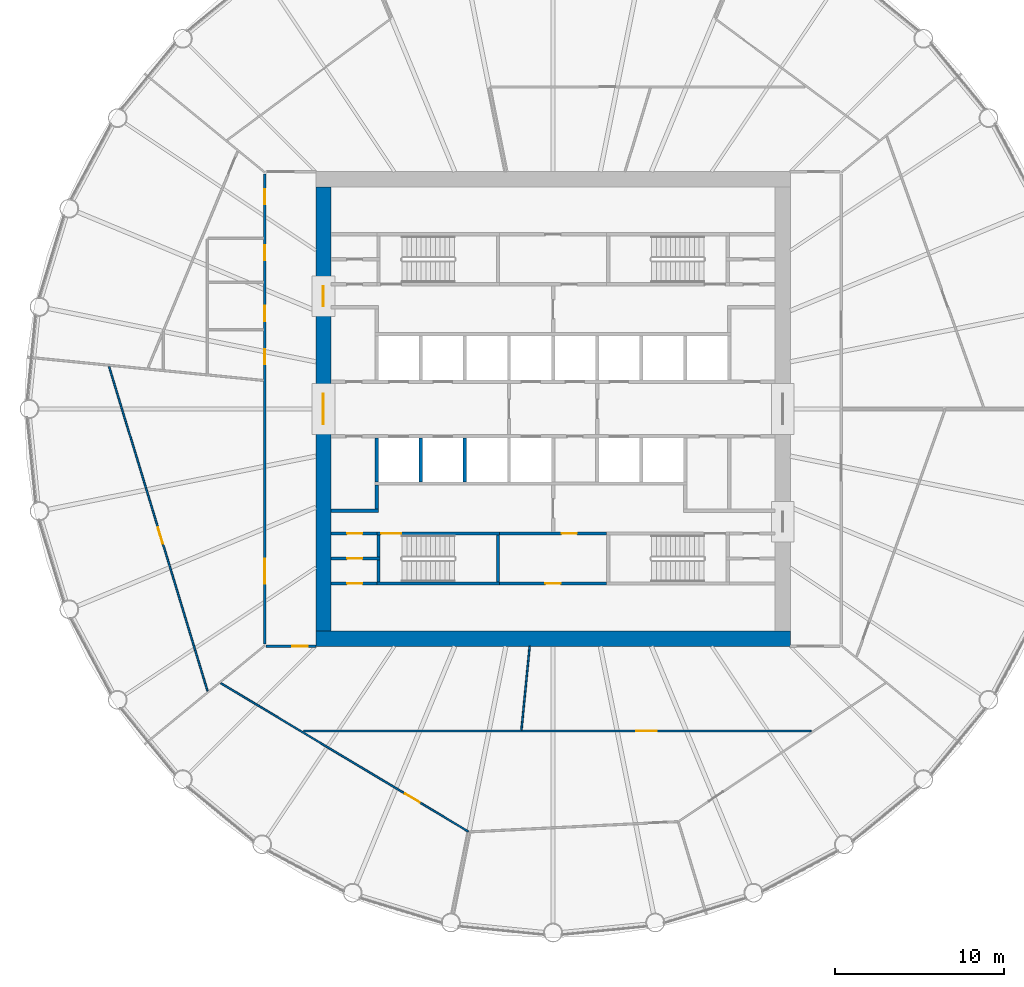
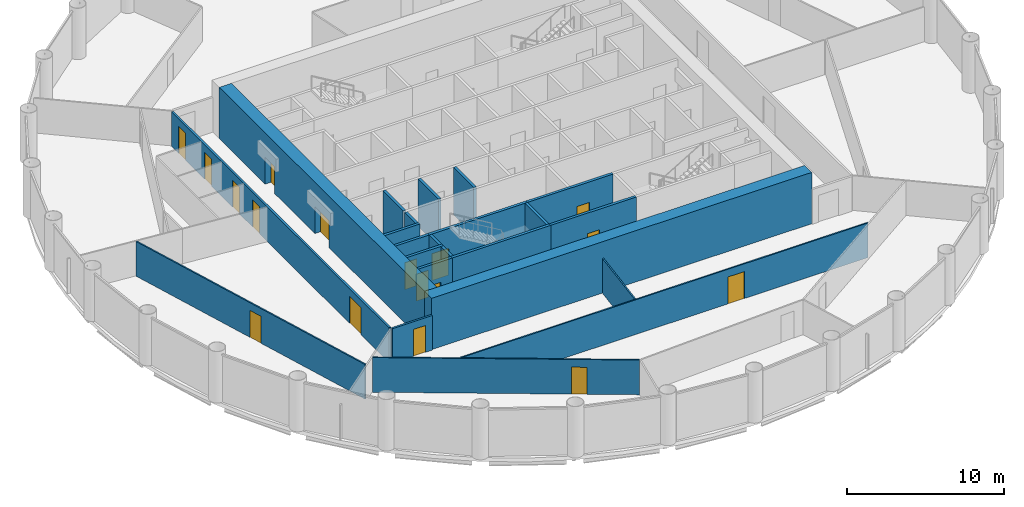
# One storey, part 4 of 9: 23 walls, 17 doors, 17 openings.
"""IFC4 building model written with IfcOpenShell, lengths in metres."""

from ifc_helpers import new_model, si_unit, direction, frame, frame_2d, origin, place, context, subcontext, project, spatial, polyline, rectangle, outline, extrude, material, layer, layer_set, type_object, element, fill, save


model = new_model("IFC4")

# Units and contexts
model_context = context("Model", 3, precision=1e-05, world=origin(), true_north=direction((0.0, 1.0)))
body_context = subcontext(model_context, "Body", "Model", "MODEL_VIEW")
ifc_project = project(units=[si_unit("LENGTHUNIT", "METRE"), si_unit("AREAUNIT", "SQUARE_METRE"), si_unit("VOLUMEUNIT", "CUBIC_METRE"), si_unit("PLANEANGLEUNIT", "RADIAN"), si_unit("MASSUNIT", "GRAM", prefix="KILO")], contexts=[model_context])

# Site, building, storey
site_placement = place(None, origin())
site = spatial("IfcSite", under=ifc_project, at=site_placement, CompositionType="ELEMENT")
building_placement = place(site_placement, origin())
building = spatial("IfcBuilding", under=site, at=building_placement, Name="Corvane Civic Tower", CompositionType="ELEMENT")
storey_placement = place(building_placement, frame((0.0, 0.0, 168.0)))
storey = spatial("IfcBuildingStorey", under=building, at=storey_placement, Name="L39", CompositionType="ELEMENT", Elevation=168.0)

# Wall
ifc_material_1 = material(Name="Concrete C60/75", Category="concrete")
ifc_layer_1 = layer(ifc_material_1, 0.89990234375)
ifc_layer_set_1 = layer_set([ifc_layer_1], Name="Concrete C60/75")
wall_type_1 = type_object("IfcWallType", Name="CORE WALL 900 C60/75", PredefinedType="SHEAR", material=ifc_layer_set_1)
wall_1_placement = place(storey_placement, frame((-14.0, -13.550048828125, 0.0), z_axis=(0.0, 0.0, 1.0), x_axis=(1.0, 0.0, 0.0)))
element("IfcWall", 1, at=wall_1_placement, inside=storey, type_object=wall_type_1, Name="W-L39-core-S", PredefinedType="SHEAR", context=body_context, shape_type="SweptSolid", body=[
    extrude(rectangle(XDim=28.0, YDim=0.89990234375, at=frame_2d((14.0, 0.0))), origin(), (0.0, 0.0, 1.0), 4.0),
])

# Wall, openings, doors
wall_2_placement = place(storey_placement, frame((-13.550048828125, -13.10009765625, 0.0), z_axis=(0.0, 0.0, 1.0), x_axis=(0.0, 1.0, 0.0)))
wall_2 = element("IfcWall", 2, at=wall_2_placement, inside=storey, type_object=wall_type_1, Name="W-L39-core-W", PredefinedType="SHEAR", context=body_context, shape_type="SweptSolid", body=[
    extrude(rectangle(XDim=26.2001953125, YDim=0.89990234375, at=frame_2d((13.10009765625, 0.0))), origin(), (0.0, 0.0, 1.0), 4.0),
])
opening_1_placement = place(wall_2_placement, frame((12.199951171875, 0.0, 0.0)))
opening_1 = element("IfcOpeningElement", 3, at=opening_1_placement, cuts=wall_2, Name="Opening L39.C28", PredefinedType="OPENING", context=body_context, shape_type="SweptSolid", body=[
    extrude(rectangle(XDim=1.800048828125, YDim=2.10009765625, at=frame_2d((0.89990234375, 1.050048828125))), frame((0.0, 0.4599609375, 0.0), z_axis=(0.0, -1.0, 0.0), x_axis=(1.0, 0.0, 0.0)), (0.0, 0.0, 1.0), 0.919921875),
])
opening_2_placement = place(wall_2_placement, frame((19.14990234375, 0.0, 0.0)))
opening_2 = element("IfcOpeningElement", 4, at=opening_2_placement, cuts=wall_2, Name="Opening L39.C30", PredefinedType="OPENING", context=body_context, shape_type="SweptSolid", body=[
    extrude(rectangle(XDim=1.199951171875, YDim=2.10009765625, at=frame_2d((0.60009765625, 1.050048828125))), frame((0.0, 0.4599609375, 0.0), z_axis=(0.0, -1.0, 0.0), x_axis=(1.0, 0.0, 0.0)), (0.0, 0.0, 1.0), 0.919921875),
])
ifc_material_2 = material(Name="Steel fire door leaf", Category="steel")
door_type_1 = type_object("IfcDoorType", Name="CR-DOOR-CORE-1800", OperationType="DOUBLE_DOOR_SINGLE_SWING", PredefinedType="DOOR", material=ifc_material_2)
door_1_placement = place(opening_1_placement, origin())
door_1 = element("IfcDoor", 5, at=door_1_placement, inside=storey, type_object=door_type_1, Name="L39 door", OperationType="DOUBLE_DOOR_SINGLE_SWING", OverallHeight=2.10009765625, OverallWidth=1.800048828125, PredefinedType="DOOR", context=body_context, shape_type="SweptSolid", body=[
    extrude(rectangle(XDim=1.800048828125, YDim=2.10009765625, at=frame_2d((0.89990234375, 1.050048828125))), frame((0.0, 0.02490234375, 0.0), z_axis=(0.0, -1.0, 0.0), x_axis=(1.0, 0.0, 0.0)), (0.0, 0.0, 1.0), 0.050048828125),
])
fill(opening_1, door_1)
door_2_placement = place(opening_2_placement, origin())
door_2 = element("IfcDoor", 6, at=door_2_placement, inside=storey, type_object=door_type_1, Name="L39 door", OperationType="DOUBLE_DOOR_SINGLE_SWING", OverallHeight=2.10009765625, OverallWidth=1.199951171875, PredefinedType="DOOR", context=body_context, shape_type="SweptSolid", body=[
    extrude(rectangle(XDim=1.199951171875, YDim=2.10009765625, at=frame_2d((0.60009765625, 1.050048828125))), frame((0.0, 0.02490234375, 0.0), z_axis=(0.0, -1.0, 0.0), x_axis=(1.0, 0.0, 0.0)), (0.0, 0.0, 1.0), 0.050048828125),
])
fill(opening_2, door_2)

# Wall, opening, door
ifc_material_3 = material(Name="Concrete C30/37", Category="concrete")
ifc_layer_2 = layer(ifc_material_3, 0.199951171875)
ifc_layer_set_2 = layer_set([ifc_layer_2], Name="Concrete C30/37")
wall_type_2 = type_object("IfcWallType", Name="CR-WALL-200", PredefinedType="PARTITIONING", material=ifc_layer_set_2)
wall_3_placement = place(storey_placement, frame((-13.10009765625, -10.300048828125, 0.0), z_axis=(0.0, 0.0, 1.0), x_axis=(1.0, 0.0, 0.0)))
wall_3 = element("IfcWall", 7, at=wall_3_placement, inside=storey, type_object=wall_type_2, Name="L39 partition wall", PredefinedType="PARTITIONING", context=body_context, shape_type="SweptSolid", body=[
    extrude(rectangle(XDim=2.7001953125, YDim=0.199951171875, at=frame_2d((1.35009765625, 0.0))), origin(), (0.0, 0.0, 1.0), 3.699951171875),
])
opening_3_placement = place(wall_3_placement, frame((0.949951171875, 0.0, 0.0)))
opening_3 = element("IfcOpeningElement", 8, at=opening_3_placement, cuts=wall_3, Name="Opening L39.C15", PredefinedType="OPENING", context=body_context, shape_type="SweptSolid", body=[
    extrude(rectangle(XDim=0.89990234375, YDim=2.10009765625, at=frame_2d((0.449951171875, 1.050048828125))), frame((0.0, 0.10986328125, 0.0), z_axis=(0.0, -1.0, 0.0), x_axis=(1.0, 0.0, 0.0)), (0.0, 0.0, 1.0), 0.219970703125),
])
ifc_material_4 = material(Name="Steel fire door leaf", Category="steel")
door_type_2 = type_object("IfcDoorType", Name="CR-DOOR-900", OperationType="SINGLE_SWING_LEFT", PredefinedType="DOOR", material=ifc_material_4)
door_3_placement = place(opening_3_placement, origin())
door_3 = element("IfcDoor", 9, at=door_3_placement, inside=storey, type_object=door_type_2, Name="L39 door", OperationType="SINGLE_SWING_LEFT", OverallHeight=2.10009765625, OverallWidth=0.89990234375, PredefinedType="DOOR", context=body_context, shape_type="SweptSolid", body=[
    extrude(rectangle(XDim=0.89990234375, YDim=2.10009765625, at=frame_2d((0.449951171875, 1.050048828125))), frame((0.0, 0.02490234375, 0.0), z_axis=(0.0, -1.0, 0.0), x_axis=(1.0, 0.0, 0.0)), (0.0, 0.0, 1.0), 0.050048828125),
])
fill(opening_3, door_3)

wall_4_placement = place(storey_placement, frame((-3.14990234375, -10.300048828125, 0.0), z_axis=(0.0, 0.0, 1.0), x_axis=(1.0, 0.0, 0.0)))
wall_4 = element("IfcWall", 10, at=wall_4_placement, inside=storey, type_object=wall_type_2, Name="L39 partition wall", PredefinedType="PARTITIONING", context=body_context, shape_type="SweptSolid", body=[
    extrude(rectangle(XDim=6.2998046875, YDim=0.199951171875, at=frame_2d((3.14990234375, 0.0))), origin(), (0.0, 0.0, 1.0), 3.699951171875),
])
opening_4_placement = place(wall_4_placement, frame((2.699951171875, 0.0, 0.0)))
opening_4 = element("IfcOpeningElement", 11, at=opening_4_placement, cuts=wall_4, Name="Opening L39.C10", PredefinedType="OPENING", context=body_context, shape_type="SweptSolid", body=[
    extrude(rectangle(XDim=0.89990234375, YDim=2.10009765625, at=frame_2d((0.449951171875, 1.050048828125))), frame((0.0, 0.10986328125, 0.0), z_axis=(0.0, -1.0, 0.0), x_axis=(1.0, 0.0, 0.0)), (0.0, 0.0, 1.0), 0.219970703125),
])
door_4_placement = place(opening_4_placement, origin())
door_4 = element("IfcDoor", 12, at=door_4_placement, inside=storey, type_object=door_type_2, Name="L39 door", OperationType="SINGLE_SWING_LEFT", OverallHeight=2.10009765625, OverallWidth=0.89990234375, PredefinedType="DOOR", context=body_context, shape_type="SweptSolid", body=[
    extrude(rectangle(XDim=0.89990234375, YDim=2.10009765625, at=frame_2d((0.449951171875, 1.050048828125))), frame((0.0, 0.02490234375, 0.0), z_axis=(0.0, -1.0, 0.0), x_axis=(1.0, 0.0, 0.0)), (0.0, 0.0, 1.0), 0.050048828125),
])
fill(opening_4, door_4)

wall_5_placement = place(storey_placement, frame((-13.10009765625, -8.824951171875, 0.0), z_axis=(0.0, 0.0, 1.0), x_axis=(1.0, 0.0, 0.0)))
wall_5 = element("IfcWall", 13, at=wall_5_placement, inside=storey, type_object=wall_type_2, Name="L39 partition wall", PredefinedType="PARTITIONING", context=body_context, shape_type="SweptSolid", body=[
    extrude(rectangle(XDim=2.900146484375, YDim=0.199951171875, at=frame_2d((1.4501953125, 0.0))), origin(), (0.0, 0.0, 1.0), 3.699951171875),
])
opening_5_placement = place(wall_5_placement, frame((0.949951171875, 0.0, 0.0)))
opening_5 = element("IfcOpeningElement", 14, at=opening_5_placement, cuts=wall_5, Name="Opening L39.C14", PredefinedType="OPENING", context=body_context, shape_type="SweptSolid", body=[
    extrude(rectangle(XDim=0.89990234375, YDim=2.10009765625, at=frame_2d((0.449951171875, 1.050048828125))), frame((0.0, 0.10986328125, 0.0), z_axis=(0.0, -1.0, 0.0), x_axis=(1.0, 0.0, 0.0)), (0.0, 0.0, 1.0), 0.219970703125),
])
door_5_placement = place(opening_5_placement, origin())
door_5 = element("IfcDoor", 15, at=door_5_placement, inside=storey, type_object=door_type_2, Name="L39 door", OperationType="SINGLE_SWING_LEFT", OverallHeight=2.10009765625, OverallWidth=0.89990234375, PredefinedType="DOOR", context=body_context, shape_type="SweptSolid", body=[
    extrude(rectangle(XDim=0.89990234375, YDim=2.10009765625, at=frame_2d((0.449951171875, 1.050048828125))), frame((0.0, 0.02490234375, 0.0), z_axis=(0.0, -1.0, 0.0), x_axis=(1.0, 0.0, 0.0)), (0.0, 0.0, 1.0), 0.050048828125),
])
fill(opening_5, door_5)

wall_6_placement = place(storey_placement, frame((-13.10009765625, -7.35009765625, 0.0), z_axis=(0.0, 0.0, 1.0), x_axis=(1.0, 0.0, 0.0)))
wall_6 = element("IfcWall", 16, at=wall_6_placement, inside=storey, type_object=wall_type_2, Name="L39 core partition wall", PredefinedType="PARTITIONING", context=body_context, shape_type="SweptSolid", body=[
    extrude(rectangle(XDim=2.7001953125, YDim=0.199951171875, at=frame_2d((1.35009765625, 0.0))), origin(), (0.0, 0.0, 1.0), 3.699951171875),
])
opening_6_placement = place(wall_6_placement, frame((0.949951171875, 0.0, 0.0)))
opening_6 = element("IfcOpeningElement", 17, at=opening_6_placement, cuts=wall_6, Name="Opening L39.C13", PredefinedType="OPENING", context=body_context, shape_type="SweptSolid", body=[
    extrude(rectangle(XDim=0.89990234375, YDim=2.10009765625, at=frame_2d((0.449951171875, 1.050048828125))), frame((0.0, 0.10986328125, 0.0), z_axis=(0.0, -1.0, 0.0), x_axis=(1.0, 0.0, 0.0)), (0.0, 0.0, 1.0), 0.219970703125),
])
door_6_placement = place(opening_6_placement, origin())
door_6 = element("IfcDoor", 18, at=door_6_placement, inside=storey, type_object=door_type_2, Name="L39 door", OperationType="SINGLE_SWING_LEFT", OverallHeight=2.10009765625, OverallWidth=0.89990234375, PredefinedType="DOOR", context=body_context, shape_type="SweptSolid", body=[
    extrude(rectangle(XDim=0.89990234375, YDim=2.10009765625, at=frame_2d((0.449951171875, 1.050048828125))), frame((0.0, 0.02490234375, 0.0), z_axis=(0.0, -1.0, 0.0), x_axis=(1.0, 0.0, 0.0)), (0.0, 0.0, 1.0), 0.050048828125),
])
fill(opening_6, door_6)

wall_7_placement = place(storey_placement, frame((-3.14990234375, -7.35009765625, 0.0), z_axis=(0.0, 0.0, 1.0), x_axis=(1.0, 0.0, 0.0)))
wall_7 = element("IfcWall", 19, at=wall_7_placement, inside=storey, type_object=wall_type_2, Name="L39 partition wall", PredefinedType="PARTITIONING", context=body_context, shape_type="SweptSolid", body=[
    extrude(rectangle(XDim=6.2998046875, YDim=0.199951171875, at=frame_2d((3.14990234375, 0.0))), origin(), (0.0, 0.0, 1.0), 3.699951171875),
])
opening_7_placement = place(wall_7_placement, frame((3.64990234375, 0.0, 0.0)))
opening_7 = element("IfcOpeningElement", 20, at=opening_7_placement, cuts=wall_7, Name="Opening L39.C08", PredefinedType="OPENING", context=body_context, shape_type="SweptSolid", body=[
    extrude(rectangle(XDim=0.89990234375, YDim=2.10009765625, at=frame_2d((0.449951171875, 1.050048828125))), frame((0.0, 0.10986328125, 0.0), z_axis=(0.0, -1.0, 0.0), x_axis=(1.0, 0.0, 0.0)), (0.0, 0.0, 1.0), 0.219970703125),
])
door_7_placement = place(opening_7_placement, origin())
door_7 = element("IfcDoor", 21, at=door_7_placement, inside=storey, type_object=door_type_2, Name="L39 door", OperationType="SINGLE_SWING_LEFT", OverallHeight=2.10009765625, OverallWidth=0.89990234375, PredefinedType="DOOR", context=body_context, shape_type="SweptSolid", body=[
    extrude(rectangle(XDim=0.89990234375, YDim=2.10009765625, at=frame_2d((0.449951171875, 1.050048828125))), frame((0.0, 0.02490234375, 0.0), z_axis=(0.0, -1.0, 0.0), x_axis=(1.0, 0.0, 0.0)), (0.0, 0.0, 1.0), 0.050048828125),
])
fill(opening_7, door_7)

# Walls
wall_8_placement = place(storey_placement, origin())
element("IfcWall", 22, at=wall_8_placement, inside=storey, type_object=wall_type_2, Name="L39 core partition wall", PredefinedType="PARTITIONING", context=body_context, shape_type="SweptSolid", body=[
    extrude(outline(polyline([(-10.300048828125, -6.10009765625), (-13.10009765625, -6.10009765625), (-13.10009765625, -5.89990234375), (-10.300048828125, -5.89990234375), (-10.300048828125, -6.10009765625)])), origin(), (0.0, 0.0, 1.0), 3.699951171875),
])
wall_9_placement = place(storey_placement, origin())
element("IfcWall", 23, at=wall_9_placement, inside=storey, type_object=wall_type_2, Name="L39 core partition wall", PredefinedType="PARTITIONING", context=body_context, shape_type="SweptSolid", body=[
    extrude(outline(polyline([(-10.300048828125, -1.699951171875), (-10.300048828125, -4.2998046875), (-10.5, -4.2998046875), (-10.5, -1.699951171875), (-10.300048828125, -1.699951171875)])), origin(), (0.0, 0.0, 1.0), 3.699951171875),
])
wall_10_placement = place(storey_placement, origin())
element("IfcWall", 24, at=wall_10_placement, inside=storey, type_object=wall_type_2, Name="L39 core partition wall", PredefinedType="PARTITIONING", context=body_context, shape_type="SweptSolid", body=[
    extrude(outline(polyline([(-7.699951171875, -1.699951171875), (-7.699951171875, -4.2998046875), (-7.89990234375, -4.2998046875), (-7.89990234375, -1.699951171875), (-7.699951171875, -1.699951171875)])), origin(), (0.0, 0.0, 1.0), 3.699951171875),
])
wall_11_placement = place(storey_placement, origin())
element("IfcWall", 25, at=wall_11_placement, inside=storey, type_object=wall_type_2, Name="L39 core partition wall", PredefinedType="PARTITIONING", context=body_context, shape_type="SweptSolid", body=[
    extrude(outline(polyline([(-5.10009765625, -1.699951171875), (-5.10009765625, -4.2998046875), (-5.300048828125, -4.2998046875), (-5.300048828125, -1.699951171875), (-5.10009765625, -1.699951171875)])), origin(), (0.0, 0.0, 1.0), 3.699951171875),
])
wall_12_placement = place(storey_placement, origin())
element("IfcWall", 26, at=wall_12_placement, inside=storey, type_object=wall_type_2, Name="L39 core partition wall", PredefinedType="PARTITIONING", context=body_context, shape_type="SweptSolid", body=[
    extrude(outline(polyline([(-10.300048828125, -5.89990234375), (-10.5, -5.89990234375), (-10.5, -4.5), (-10.300048828125, -4.5), (-10.300048828125, -5.89990234375)])), origin(), (0.0, 0.0, 1.0), 3.699951171875),
])

# Wall, opening, door
ifc_material_5 = material(Name="Plasterboard")
ifc_layer_3 = layer(ifc_material_5, 0.10009765625)
ifc_layer_set_3 = layer_set([ifc_layer_3], Name="Plasterboard")
wall_type_3 = type_object("IfcWallType", Name="Partition 100 plasterboard on studs", PredefinedType="PARTITIONING", material=ifc_layer_set_3)
wall_13_placement = place(storey_placement, frame((-19.60693359375, -16.177490234375, 0.0), z_axis=(0.0, 0.0, 1.0), x_axis=(0.857726754519, -0.514105839865, 0.0)))
wall_13 = element("IfcWall", 27, at=wall_13_placement, inside=storey, type_object=wall_type_3, Name="Partition L39.004", PredefinedType="PARTITIONING", context=body_context, shape_type="SweptSolid", body=[
    extrude(rectangle(XDim=17.036865234375, YDim=0.10009765625, at=frame_2d((8.5185546875, 0.0))), origin(), (0.0, 0.0, 1.0), 2.699951171875),
])
opening_8_placement = place(wall_13_placement, frame((12.6875, 0.0, 0.0)))
opening_8 = element("IfcOpeningElement", 28, at=opening_8_placement, cuts=wall_13, Name="Opening L39.008", PredefinedType="OPENING", context=body_context, shape_type="SweptSolid", body=[
    extrude(rectangle(XDim=1.0, YDim=2.10009765625, at=frame_2d((0.5, 1.050048828125))), frame((0.0, 0.06005859375, 0.0), z_axis=(0.0, -1.0, 0.0), x_axis=(1.0, 0.0, 0.0)), (0.0, 0.0, 1.0), 0.1201171875),
])
ifc_material_6 = material(Name="Timber", Category="wood")
door_type_3 = type_object("IfcDoorType", Name="Single door 1000", OperationType="NOTDEFINED", PredefinedType="DOOR", material=ifc_material_6)
door_8_placement = place(opening_8_placement, frame((1.0, 0.0, 0.0), z_axis=(0.0, 0.0, 1.0), x_axis=(-1.0, 0.0, 0.0)))
door_8 = element("IfcDoor", 29, at=door_8_placement, inside=storey, type_object=door_type_3, Name="Door L39.008", OperationType="SINGLE_SWING_LEFT", OverallHeight=2.10009765625, OverallWidth=1.0, PredefinedType="DOOR", context=body_context, shape_type="SweptSolid", body=[
    extrude(rectangle(XDim=1.0, YDim=2.10009765625, at=frame_2d((0.5, 1.050048828125))), frame((0.0, 0.02490234375, 0.0), z_axis=(0.0, -1.0, 0.0), x_axis=(1.0, 0.0, 0.0)), (0.0, 0.0, 1.0), 0.050048828125),
])
fill(opening_8, door_8)

wall_14_placement = place(storey_placement, frame((-14.71728515625, -19.0, 0.0), z_axis=(0.0, 0.0, 1.0), x_axis=(1.0, 0.0, 0.0)))
wall_14 = element("IfcWall", 30, at=wall_14_placement, inside=storey, type_object=wall_type_3, Name="Partition L39.008", PredefinedType="PARTITIONING", context=body_context, shape_type="SweptSolid", body=[
    extrude(rectangle(XDim=29.941650390625, YDim=0.10009765625, at=frame_2d((14.970703125, 0.0))), origin(), (0.0, 0.0, 1.0), 2.699951171875),
])
opening_9_placement = place(wall_14_placement, frame((19.639404296875, 0.0, 0.0)))
opening_9 = element("IfcOpeningElement", 31, at=opening_9_placement, cuts=wall_14, Name="Opening L39.009", PredefinedType="OPENING", context=body_context, shape_type="SweptSolid", body=[
    extrude(rectangle(XDim=1.199951171875, YDim=2.10009765625, at=frame_2d((0.60009765625, 1.050048828125))), frame((0.0, 0.06005859375, 0.0), z_axis=(0.0, -1.0, 0.0), x_axis=(1.0, 0.0, 0.0)), (0.0, 0.0, 1.0), 0.1201171875),
])
ifc_material_7 = material(Name="Timber", Category="wood")
door_type_4 = type_object("IfcDoorType", Name="Double door 1200", OperationType="NOTDEFINED", PredefinedType="DOOR", material=ifc_material_7)
door_9_placement = place(opening_9_placement, frame((1.199951171875, 0.0, 0.0), z_axis=(0.0, 0.0, 1.0), x_axis=(-1.0, 0.0, 0.0)))
door_9 = element("IfcDoor", 32, at=door_9_placement, inside=storey, type_object=door_type_4, Name="Door L39.009", OperationType="DOUBLE_DOOR_SINGLE_SWING", OverallHeight=2.10009765625, OverallWidth=1.199951171875, PredefinedType="DOOR", context=body_context, shape_type="SweptSolid", body=[
    extrude(rectangle(XDim=1.199951171875, YDim=2.10009765625, at=frame_2d((0.60009765625, 1.050048828125))), frame((0.0, 0.02490234375, 0.0), z_axis=(0.0, -1.0, 0.0), x_axis=(1.0, 0.0, 0.0)), (0.0, 0.0, 1.0), 0.050048828125),
])
fill(opening_9, door_9)

# Wall
wall_15_placement = place(storey_placement, frame((-1.865966796875, -18.945068359375, 0.0), z_axis=(0.0, 0.0, 1.0), x_axis=(0.098019895744, 0.995184455284, 0.0)))
element("IfcWall", 33, at=wall_15_placement, inside=storey, type_object=wall_type_3, Name="Partition L39.009", PredefinedType="PARTITIONING", context=body_context, shape_type="SweptSolid", body=[
    extrude(rectangle(XDim=4.968994140625, YDim=0.10009765625, at=frame_2d((2.484375, 0.0))), origin(), (0.0, 0.0, 1.0), 2.699951171875),
])

# Wall, opening, door
wall_16_placement = place(storey_placement, frame((-26.19580078125, 2.510498046875, 0.0), z_axis=(0.0, 0.0, 1.0), x_axis=(0.290284335473, -0.95694043941, 0.0)))
wall_16 = element("IfcWall", 34, at=wall_16_placement, inside=storey, type_object=wall_type_3, Name="Partition L39.010", PredefinedType="PARTITIONING", context=body_context, shape_type="SweptSolid", body=[
    extrude(rectangle(XDim=20.013427734375, YDim=0.10009765625, at=frame_2d((10.0068359375, 0.0))), origin(), (0.0, 0.0, 1.0), 2.699951171875),
])
opening_10_placement = place(wall_16_placement, frame((9.93359375, 0.0, 0.0)))
opening_10 = element("IfcOpeningElement", 35, at=opening_10_placement, cuts=wall_16, Name="Opening L39.016", PredefinedType="OPENING", context=body_context, shape_type="SweptSolid", body=[
    extrude(rectangle(XDim=1.0, YDim=2.10009765625, at=frame_2d((0.5, 1.050048828125))), frame((0.0, 0.06005859375, 0.0), z_axis=(0.0, -1.0, 0.0), x_axis=(1.0, 0.0, 0.0)), (0.0, 0.0, 1.0), 0.1201171875),
])
door_10_placement = place(opening_10_placement, frame((1.0, 0.0, 0.0), z_axis=(0.0, 0.0, 1.0), x_axis=(-1.0, 0.0, 0.0)))
door_10 = element("IfcDoor", 36, at=door_10_placement, inside=storey, type_object=door_type_3, Name="Door L39.016", OperationType="SINGLE_SWING_RIGHT", OverallHeight=2.10009765625, OverallWidth=1.0, PredefinedType="DOOR", context=body_context, shape_type="SweptSolid", body=[
    extrude(rectangle(XDim=1.0, YDim=2.10009765625, at=frame_2d((0.5, 1.050048828125))), frame((0.0, 0.02490234375, 0.0), z_axis=(0.0, -1.0, 0.0), x_axis=(1.0, 0.0, 0.0)), (0.0, 0.0, 1.0), 0.050048828125),
])
fill(opening_10, door_10)

ifc_material_8 = material(Name="Concrete C50/60", Category="concrete")
ifc_layer_4 = layer(ifc_material_8, 0.199951171875)
ifc_layer_set_4 = layer_set([ifc_layer_4], Name="Concrete C50/60")
wall_type_4 = type_object("IfcWallType", Name="ST-WALL-200", PredefinedType="SHEAR", material=ifc_layer_set_4)
wall_17_placement = place(storey_placement, frame((-10.39990234375, -7.35009765625, 0.0), z_axis=(0.0, 0.0, 1.0), x_axis=(1.0, 0.0, 0.0)))
wall_17 = element("IfcWall", 37, at=wall_17_placement, inside=storey, type_object=wall_type_4, Name="L39 stair enclosure wall", PredefinedType="SHEAR", context=body_context, shape_type="SweptSolid", body=[
    extrude(rectangle(XDim=7.25, YDim=0.199951171875, at=frame_2d((3.625, 0.0))), origin(), (0.0, 0.0, 1.0), 3.699951171875),
])
opening_11_placement = place(wall_17_placement, frame((0.25, 0.0, 0.0)))
opening_11 = element("IfcOpeningElement", 38, at=opening_11_placement, cuts=wall_17, Name="Opening L39.C23", PredefinedType="OPENING", context=body_context, shape_type="SweptSolid", body=[
    extrude(rectangle(XDim=1.199951171875, YDim=2.10009765625, at=frame_2d((0.60009765625, 1.050048828125))), frame((0.0, 0.10986328125, 0.0), z_axis=(0.0, -1.0, 0.0), x_axis=(1.0, 0.0, 0.0)), (0.0, 0.0, 1.0), 0.219970703125),
])
ifc_material_9 = material(Name="Steel fire door leaf", Category="steel")
door_type_5 = type_object("IfcDoorType", Name="ST-DOOR-1200", OperationType="SINGLE_SWING_RIGHT", PredefinedType="DOOR", material=ifc_material_9)
door_11_placement = place(opening_11_placement, origin())
door_11 = element("IfcDoor", 39, at=door_11_placement, inside=storey, type_object=door_type_5, Name="L39 stair door", OperationType="SINGLE_SWING_RIGHT", OverallHeight=2.10009765625, OverallWidth=1.199951171875, PredefinedType="DOOR", context=body_context, shape_type="SweptSolid", body=[
    extrude(rectangle(XDim=1.199951171875, YDim=2.10009765625, at=frame_2d((0.60009765625, 1.050048828125))), frame((0.0, 0.02490234375, 0.0), z_axis=(0.0, -1.0, 0.0), x_axis=(1.0, 0.0, 0.0)), (0.0, 0.0, 1.0), 0.050048828125),
])
fill(opening_11, door_11)

# Walls
wall_18_placement = place(storey_placement, origin())
element("IfcWall", 40, at=wall_18_placement, inside=storey, type_object=wall_type_4, Name="L39 stair enclosure wall", PredefinedType="SHEAR", context=body_context, shape_type="SweptSolid", body=[
    extrude(outline(polyline([(-3.14990234375, -10.199951171875), (-3.14990234375, -10.39990234375), (-10.39990234375, -10.39990234375), (-10.39990234375, -10.199951171875), (-3.14990234375, -10.199951171875)])), origin(), (0.0, 0.0, 1.0), 3.699951171875),
])
wall_19_placement = place(storey_placement, origin())
element("IfcWall", 41, at=wall_19_placement, inside=storey, type_object=wall_type_4, Name="L39 stair enclosure wall", PredefinedType="SHEAR", context=body_context, shape_type="SweptSolid", body=[
    extrude(outline(polyline([(-3.14990234375, -7.449951171875), (-3.14990234375, -10.199951171875), (-3.35009765625, -10.199951171875), (-3.35009765625, -7.449951171875), (-3.14990234375, -7.449951171875)])), origin(), (0.0, 0.0, 1.0), 3.699951171875),
])
wall_20_placement = place(storey_placement, origin())
element("IfcWall", 42, at=wall_20_placement, inside=storey, type_object=wall_type_4, Name="L39 stair enclosure wall", PredefinedType="SHEAR", context=body_context, shape_type="SweptSolid", body=[
    extrude(outline(polyline([(-10.199951171875, -7.449951171875), (-10.199951171875, -8.72509765625), (-10.39990234375, -8.72509765625), (-10.39990234375, -7.449951171875), (-10.199951171875, -7.449951171875)])), origin(), (0.0, 0.0, 1.0), 3.699951171875),
])
wall_21_placement = place(storey_placement, origin())
element("IfcWall", 43, at=wall_21_placement, inside=storey, type_object=wall_type_4, Name="L39 stair enclosure wall", PredefinedType="SHEAR", context=body_context, shape_type="SweptSolid", body=[
    extrude(outline(polyline([(-10.199951171875, -8.925048828125), (-10.199951171875, -10.199951171875), (-10.39990234375, -10.199951171875), (-10.39990234375, -8.925048828125), (-10.199951171875, -8.925048828125)])), origin(), (0.0, 0.0, 1.0), 3.699951171875),
])

# Wall, opening, door
ifc_material_10 = material(Name="Plasterboard")
ifc_layer_5 = layer(ifc_material_10, 0.14990234375)
ifc_layer_set_5 = layer_set([ifc_layer_5], Name="Plasterboard")
wall_type_5 = type_object("IfcWallType", Name="Tenancy wall 150 EI 60", PredefinedType="PARTITIONING", material=ifc_layer_set_5)
wall_22_placement = place(storey_placement, frame((-16.925048828125, -14.0, 0.0), z_axis=(0.0, 0.0, 1.0), x_axis=(1.0, 0.0, 0.0)))
wall_22 = element("IfcWall", 44, at=wall_22_placement, inside=storey, type_object=wall_type_5, Name="Partition L39.012", PredefinedType="PARTITIONING", context=body_context, shape_type="SweptSolid", body=[
    extrude(rectangle(XDim=2.93505859375, YDim=0.14990234375, at=frame_2d((1.467529296875, 0.0))), origin(), (0.0, 0.0, 1.0), 2.699951171875),
])
opening_12_placement = place(wall_22_placement, frame((1.5419921875, 0.0, 0.0)))
opening_12 = element("IfcOpeningElement", 45, at=opening_12_placement, cuts=wall_22, Name="Opening L39.011", PredefinedType="OPENING", context=body_context, shape_type="SweptSolid", body=[
    extrude(rectangle(XDim=0.89990234375, YDim=2.10009765625, at=frame_2d((0.449951171875, 1.050048828125))), frame((0.0, 0.0849609375, 0.0), z_axis=(0.0, -1.0, 0.0), x_axis=(1.0, 0.0, 0.0)), (0.0, 0.0, 1.0), 0.169921875),
])
ifc_material_11 = material(Name="Steel and timber", Category="steel")
door_type_6 = type_object("IfcDoorType", Name="Fire door FD30S 900", OperationType="NOTDEFINED", PredefinedType="DOOR", material=ifc_material_11)
door_12_placement = place(opening_12_placement, frame((0.89990234375, 0.0, 0.0), z_axis=(0.0, 0.0, 1.0), x_axis=(-1.0, 0.0, 0.0)))
door_12 = element("IfcDoor", 46, at=door_12_placement, inside=storey, type_object=door_type_6, Name="Door L39.011", OperationType="SINGLE_SWING_LEFT", OverallHeight=2.10009765625, OverallWidth=0.89990234375, PredefinedType="DOOR", context=body_context, shape_type="SweptSolid", body=[
    extrude(rectangle(XDim=0.89990234375, YDim=2.10009765625, at=frame_2d((0.449951171875, 1.050048828125))), frame((0.0, 0.02490234375, 0.0), z_axis=(0.0, -1.0, 0.0), x_axis=(1.0, 0.0, 0.0)), (0.0, 0.0, 1.0), 0.050048828125),
])
fill(opening_12, door_12)

# Wall, openings, doors
wall_23_placement = place(storey_placement, frame((-17.0, -13.87646484375, 0.0), z_axis=(0.0, 0.0, 1.0), x_axis=(0.0, 1.0, 0.0)))
wall_23 = element("IfcWall", 47, at=wall_23_placement, inside=storey, type_object=wall_type_5, Name="Partition L39.014", PredefinedType="PARTITIONING", context=body_context, shape_type="SweptSolid", body=[
    extrude(rectangle(XDim=27.7529296875, YDim=0.14990234375, at=frame_2d((13.87646484375, 0.0))), origin(), (0.0, 0.0, 1.0), 2.699951171875),
])
opening_13_placement = place(wall_23_placement, frame((3.552001953125, 0.0, 0.0)))
opening_13 = element("IfcOpeningElement", 48, at=opening_13_placement, cuts=wall_23, Name="Opening L39.017", PredefinedType="OPENING", context=body_context, shape_type="SweptSolid", body=[
    extrude(rectangle(XDim=1.5, YDim=2.10009765625, at=frame_2d((0.75, 1.050048828125))), frame((0.0, 0.0849609375, 0.0), z_axis=(0.0, -1.0, 0.0), x_axis=(1.0, 0.0, 0.0)), (0.0, 0.0, 1.0), 0.169921875),
])
opening_14_placement = place(wall_23_placement, frame((25.9453125, 0.0, 0.0)))
opening_14 = element("IfcOpeningElement", 49, at=opening_14_placement, cuts=wall_23, Name="Opening L39.019", PredefinedType="OPENING", context=body_context, shape_type="SweptSolid", body=[
    extrude(rectangle(XDim=0.89990234375, YDim=2.10009765625, at=frame_2d((0.449951171875, 1.050048828125))), frame((0.0, 0.0849609375, 0.0), z_axis=(0.0, -1.0, 0.0), x_axis=(1.0, 0.0, 0.0)), (0.0, 0.0, 1.0), 0.169921875),
])
opening_15_placement = place(wall_23_placement, frame((16.508056640625, 0.0, 0.0)))
opening_15 = element("IfcOpeningElement", 50, at=opening_15_placement, cuts=wall_23, Name="Opening L39.020", PredefinedType="OPENING", context=body_context, shape_type="SweptSolid", body=[
    extrude(rectangle(XDim=0.89990234375, YDim=2.10009765625, at=frame_2d((0.449951171875, 1.050048828125))), frame((0.0, 0.0849609375, 0.0), z_axis=(0.0, -1.0, 0.0), x_axis=(1.0, 0.0, 0.0)), (0.0, 0.0, 1.0), 0.169921875),
])
opening_16_placement = place(wall_23_placement, frame((19.0625, 0.0, 0.0)))
opening_16 = element("IfcOpeningElement", 51, at=opening_16_placement, cuts=wall_23, Name="Opening L39.021", PredefinedType="OPENING", context=body_context, shape_type="SweptSolid", body=[
    extrude(rectangle(XDim=0.89990234375, YDim=2.10009765625, at=frame_2d((0.449951171875, 1.050048828125))), frame((0.0, 0.0849609375, 0.0), z_axis=(0.0, -1.0, 0.0), x_axis=(1.0, 0.0, 0.0)), (0.0, 0.0, 1.0), 0.169921875),
])
opening_17_placement = place(wall_23_placement, frame((22.6455078125, 0.0, 0.0)))
opening_17 = element("IfcOpeningElement", 52, at=opening_17_placement, cuts=wall_23, Name="Opening L39.022", PredefinedType="OPENING", context=body_context, shape_type="SweptSolid", body=[
    extrude(rectangle(XDim=0.89990234375, YDim=2.10009765625, at=frame_2d((0.449951171875, 1.050048828125))), frame((0.0, 0.0849609375, 0.0), z_axis=(0.0, -1.0, 0.0), x_axis=(1.0, 0.0, 0.0)), (0.0, 0.0, 1.0), 0.169921875),
])
door_13_placement = place(opening_14_placement, origin())
door_13 = element("IfcDoor", 53, at=door_13_placement, inside=storey, type_object=door_type_6, Name="Door L39.019", OperationType="SINGLE_SWING_RIGHT", OverallHeight=2.10009765625, OverallWidth=0.89990234375, PredefinedType="DOOR", context=body_context, shape_type="SweptSolid", body=[
    extrude(rectangle(XDim=0.89990234375, YDim=2.10009765625, at=frame_2d((0.449951171875, 1.050048828125))), frame((0.0, 0.02490234375, 0.0), z_axis=(0.0, -1.0, 0.0), x_axis=(1.0, 0.0, 0.0)), (0.0, 0.0, 1.0), 0.050048828125),
])
fill(opening_14, door_13)
door_14_placement = place(opening_15_placement, origin())
door_14 = element("IfcDoor", 54, at=door_14_placement, inside=storey, type_object=door_type_6, Name="Door L39.020", OperationType="SINGLE_SWING_LEFT", OverallHeight=2.10009765625, OverallWidth=0.89990234375, PredefinedType="DOOR", context=body_context, shape_type="SweptSolid", body=[
    extrude(rectangle(XDim=0.89990234375, YDim=2.10009765625, at=frame_2d((0.449951171875, 1.050048828125))), frame((0.0, 0.02490234375, 0.0), z_axis=(0.0, -1.0, 0.0), x_axis=(1.0, 0.0, 0.0)), (0.0, 0.0, 1.0), 0.050048828125),
])
fill(opening_15, door_14)
door_15_placement = place(opening_16_placement, origin())
door_15 = element("IfcDoor", 55, at=door_15_placement, inside=storey, type_object=door_type_6, Name="Door L39.021", OperationType="SINGLE_SWING_LEFT", OverallHeight=2.10009765625, OverallWidth=0.89990234375, PredefinedType="DOOR", context=body_context, shape_type="SweptSolid", body=[
    extrude(rectangle(XDim=0.89990234375, YDim=2.10009765625, at=frame_2d((0.449951171875, 1.050048828125))), frame((0.0, 0.02490234375, 0.0), z_axis=(0.0, -1.0, 0.0), x_axis=(1.0, 0.0, 0.0)), (0.0, 0.0, 1.0), 0.050048828125),
])
fill(opening_16, door_15)
door_16_placement = place(opening_17_placement, origin())
door_16 = element("IfcDoor", 56, at=door_16_placement, inside=storey, type_object=door_type_6, Name="Door L39.022", OperationType="SINGLE_SWING_RIGHT", OverallHeight=2.10009765625, OverallWidth=0.89990234375, PredefinedType="DOOR", context=body_context, shape_type="SweptSolid", body=[
    extrude(rectangle(XDim=0.89990234375, YDim=2.10009765625, at=frame_2d((0.449951171875, 1.050048828125))), frame((0.0, 0.02490234375, 0.0), z_axis=(0.0, -1.0, 0.0), x_axis=(1.0, 0.0, 0.0)), (0.0, 0.0, 1.0), 0.050048828125),
])
fill(opening_17, door_16)
ifc_material_12 = material(Name="Steel and timber", Category="steel")
door_type_7 = type_object("IfcDoorType", Name="Fire door FD60 double 1500", OperationType="NOTDEFINED", PredefinedType="DOOR", material=ifc_material_12)
door_17_placement = place(opening_13_placement, origin())
door_17 = element("IfcDoor", 57, at=door_17_placement, inside=storey, type_object=door_type_7, Name="Door L39.017", OperationType="DOUBLE_DOOR_SINGLE_SWING", OverallHeight=2.10009765625, OverallWidth=1.5, PredefinedType="DOOR", context=body_context, shape_type="SweptSolid", body=[
    extrude(rectangle(XDim=1.5, YDim=2.10009765625, at=frame_2d((0.75, 1.050048828125))), frame((0.0, 0.02490234375, 0.0), z_axis=(0.0, -1.0, 0.0), x_axis=(1.0, 0.0, 0.0)), (0.0, 0.0, 1.0), 0.050048828125),
])
fill(opening_13, door_17)

save(model, "model.ifc")
